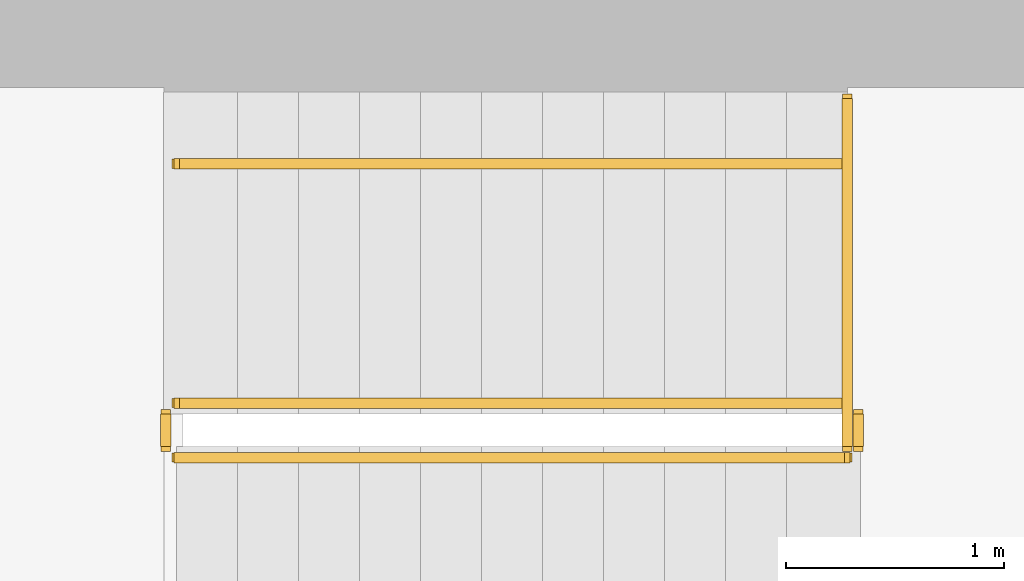
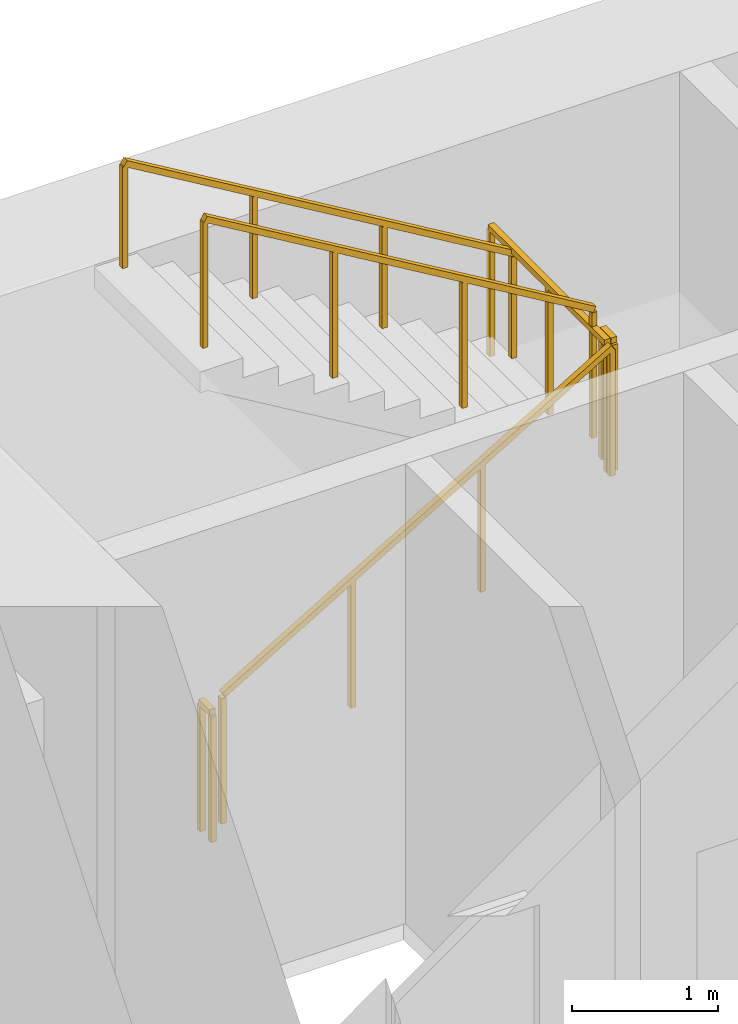
# One storey, part 16 of 17: 6 railings.
"""IFC4 building model written with IfcOpenShell, lengths in metres."""

from ifc_helpers import new_model, si_unit, direction, frame, origin, origin_2d, place, context, subcontext, project, spatial, rectangle, extrude, material, type_object, element, save


model = new_model("IFC4")

# Units and contexts
model_context = context("Model", 3, precision=1e-05, world=origin(), true_north=direction((0.0, 1.0)))
body_context = subcontext(model_context, "Body", "Model", "MODEL_VIEW")
ifc_project = project(units=[si_unit("LENGTHUNIT", "METRE"), si_unit("AREAUNIT", "SQUARE_METRE"), si_unit("VOLUMEUNIT", "CUBIC_METRE"), si_unit("PLANEANGLEUNIT", "RADIAN"), si_unit("MASSUNIT", "GRAM", prefix="KILO")], contexts=[model_context])

# Site, building, storey
site_placement = place(None, origin())
site = spatial("IfcSite", under=ifc_project, at=site_placement, CompositionType="ELEMENT")
building_placement = place(site_placement, origin())
building = spatial("IfcBuilding", under=site, at=building_placement, Name="Sennacour Bend Tower", CompositionType="ELEMENT")
storey_placement = place(building_placement, frame((0.0, 0.0, 199.0)))
storey = spatial("IfcBuildingStorey", under=building, at=storey_placement, Name="L45", CompositionType="ELEMENT", Elevation=199.0)

# Railings
ifc_material = material(Name="Stainless steel", Category="steel")
railing_type_1 = type_object("IfcRailingType", Name="RL-GUARD-1100", PredefinedType="GUARDRAIL", material=ifc_material)
railing_1_placement = place(storey_placement, frame((56.699951171875, 19.85009765625, 0.166748046875)))
element("IfcRailing", 1, at=railing_1_placement, inside=storey, type_object=railing_type_1, Name="L45 SA2 stair guard 1", PredefinedType="GUARDRAIL", context=body_context, shape_type="SweptSolid", body=[
    extrude(rectangle(XDim=0.048095703125, YDim=0.048095703125, at=origin_2d()), frame((0.0, 0.0, 1.076171875), z_axis=(0.859308565015, 0.0, 0.511457515432), x_axis=(0.0, 1.0, 0.0)), (0.0, 0.0, 1.0), 3.58447265625),
    extrude(rectangle(XDim=0.0419921875, YDim=0.0419921875, at=origin_2d()), origin(), (0.0, 0.0, 1.0), 1.052001953125),
    extrude(rectangle(XDim=0.0419921875, YDim=0.0419921875, at=origin_2d()), frame((1.026611328125, 0.0, 0.611083984375)), (0.0, 0.0, 1.0), 1.052001953125),
    extrude(rectangle(XDim=0.0419921875, YDim=0.0419921875, at=origin_2d()), frame((2.053466796875, 0.0, 1.22216796875)), (0.0, 0.0, 1.0), 1.052001953125),
    extrude(rectangle(XDim=0.0419921875, YDim=0.0419921875, at=origin_2d()), frame((3.080078125, 0.0, 1.833251953125)), (0.0, 0.0, 1.0), 1.052001953125),
])
railing_2_placement = place(storey_placement, frame((59.830078125, 19.89990234375, 2.0)))
element("IfcRailing", 2, at=railing_2_placement, inside=storey, type_object=railing_type_1, Name="L45 SA2 stair guard 2", PredefinedType="GUARDRAIL", context=body_context, shape_type="SweptSolid", body=[
    extrude(rectangle(XDim=0.048095703125, YDim=0.048095703125, at=origin_2d()), frame((0.0, 0.0, 1.076171875), z_axis=(0.0, 1.0, 0.0), x_axis=(-1.0, 0.0, 0.0)), (0.0, 0.0, 1.0), 0.150146484375),
    extrude(rectangle(XDim=0.0419921875, YDim=0.0419921875, at=origin_2d()), origin(), (0.0, 0.0, 1.0), 1.052001953125),
    extrude(rectangle(XDim=0.0419921875, YDim=0.0419921875, at=origin_2d()), frame((0.0, 0.150146484375, 0.0)), (0.0, 0.0, 1.0), 1.052001953125),
])
railing_3_placement = place(storey_placement, frame((59.780029296875, 20.10009765625, 2.166748046875)))
element("IfcRailing", 3, at=railing_3_placement, inside=storey, type_object=railing_type_1, Name="L45 SA2 stair guard 4", PredefinedType="GUARDRAIL", context=body_context, shape_type="SweptSolid", body=[
    extrude(rectangle(XDim=0.048095703125, YDim=0.048095703125, at=origin_2d()), frame((0.0, 0.0, 1.076171875), z_axis=(-0.859308565015, 0.0, 0.511457515432), x_axis=(0.0, -1.0, 0.0)), (0.0, 0.0, 1.0), 3.58447265625),
    extrude(rectangle(XDim=0.0419921875, YDim=0.0419921875, at=origin_2d()), origin(), (0.0, 0.0, 1.0), 1.052001953125),
    extrude(rectangle(XDim=0.0419921875, YDim=0.0419921875, at=origin_2d()), frame((-1.026611328125, 0.0, 0.611083984375)), (0.0, 0.0, 1.0), 1.052001953125),
    extrude(rectangle(XDim=0.0419921875, YDim=0.0419921875, at=origin_2d()), frame((-2.053466796875, 0.0, 1.22216796875)), (0.0, 0.0, 1.0), 1.052001953125),
    extrude(rectangle(XDim=0.0419921875, YDim=0.0419921875, at=origin_2d()), frame((-3.080078125, 0.0, 1.833251953125)), (0.0, 0.0, 1.0), 1.052001953125),
])
railing_4_placement = place(storey_placement, frame((56.64990234375, 19.89990234375, 0.0)))
element("IfcRailing", 4, at=railing_4_placement, inside=storey, type_object=railing_type_1, Name="L45 SA2 stair guard 5", PredefinedType="GUARDRAIL", context=body_context, shape_type="SweptSolid", body=[
    extrude(rectangle(XDim=0.048095703125, YDim=0.048095703125, at=origin_2d()), frame((0.0, 0.0, 1.076171875), z_axis=(0.0, 1.0, 0.0), x_axis=(-1.0, 0.0, 0.0)), (0.0, 0.0, 1.0), 0.150146484375),
    extrude(rectangle(XDim=0.0419921875, YDim=0.0419921875, at=origin_2d()), origin(), (0.0, 0.0, 1.0), 1.052001953125),
    extrude(rectangle(XDim=0.0419921875, YDim=0.0419921875, at=origin_2d()), frame((0.0, 0.150146484375, 0.0)), (0.0, 0.0, 1.0), 1.052001953125),
])
railing_5_placement = place(storey_placement, frame((59.780029296875, 19.89990234375, 2.0)))
element("IfcRailing", 5, at=railing_5_placement, inside=storey, type_object=railing_type_1, Name="L45 SA2 landing edge guard 62", PredefinedType="GUARDRAIL", context=body_context, shape_type="SweptSolid", body=[
    extrude(rectangle(XDim=0.048095703125, YDim=0.048095703125, at=origin_2d()), frame((0.0, 0.0, 1.076171875), z_axis=(0.0, 1.0, 0.0), x_axis=(-1.0, 0.0, 0.0)), (0.0, 0.0, 1.0), 1.60009765625),
    extrude(rectangle(XDim=0.0419921875, YDim=0.0419921875, at=origin_2d()), origin(), (0.0, 0.0, 1.0), 1.052001953125),
    extrude(rectangle(XDim=0.0419921875, YDim=0.0419921875, at=origin_2d()), frame((0.0, 0.800048828125, 0.0)), (0.0, 0.0, 1.0), 1.052001953125),
    extrude(rectangle(XDim=0.0419921875, YDim=0.0419921875, at=origin_2d()), frame((0.0, 1.60009765625, 0.0)), (0.0, 0.0, 1.0), 1.052001953125),
])
railing_type_2 = type_object("IfcRailingType", Name="RL-HANDRAIL-900", PredefinedType="HANDRAIL", material=ifc_material)
railing_6_placement = place(storey_placement, frame((59.780029296875, 21.199951171875, 2.166748046875)))
element("IfcRailing", 6, at=railing_6_placement, inside=storey, type_object=railing_type_2, Name="L45 SA2 stair handrail 2", PredefinedType="HANDRAIL", context=body_context, shape_type="SweptSolid", body=[
    extrude(rectangle(XDim=0.048095703125, YDim=0.048095703125, at=origin_2d()), frame((0.0, 0.0, 0.8759765625), z_axis=(-0.859308565015, 0.0, 0.511457515432), x_axis=(0.0, -1.0, 0.0)), (0.0, 0.0, 1.0), 3.58447265625),
    extrude(rectangle(XDim=0.0419921875, YDim=0.0419921875, at=origin_2d()), origin(), (0.0, 0.0, 1.0), 0.851806640625),
    extrude(rectangle(XDim=0.0419921875, YDim=0.0419921875, at=origin_2d()), frame((-1.026611328125, 0.0, 0.611083984375)), (0.0, 0.0, 1.0), 0.851806640625),
    extrude(rectangle(XDim=0.0419921875, YDim=0.0419921875, at=origin_2d()), frame((-2.053466796875, 0.0, 1.22216796875)), (0.0, 0.0, 1.0), 0.851806640625),
    extrude(rectangle(XDim=0.0419921875, YDim=0.0419921875, at=origin_2d()), frame((-3.080078125, 0.0, 1.833251953125)), (0.0, 0.0, 1.0), 0.851806640625),
])

save(model, "model.ifc")
